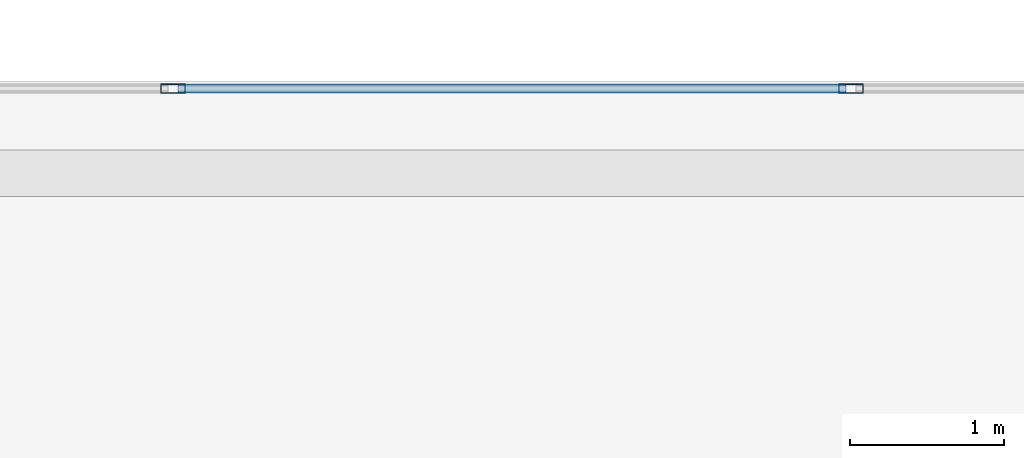
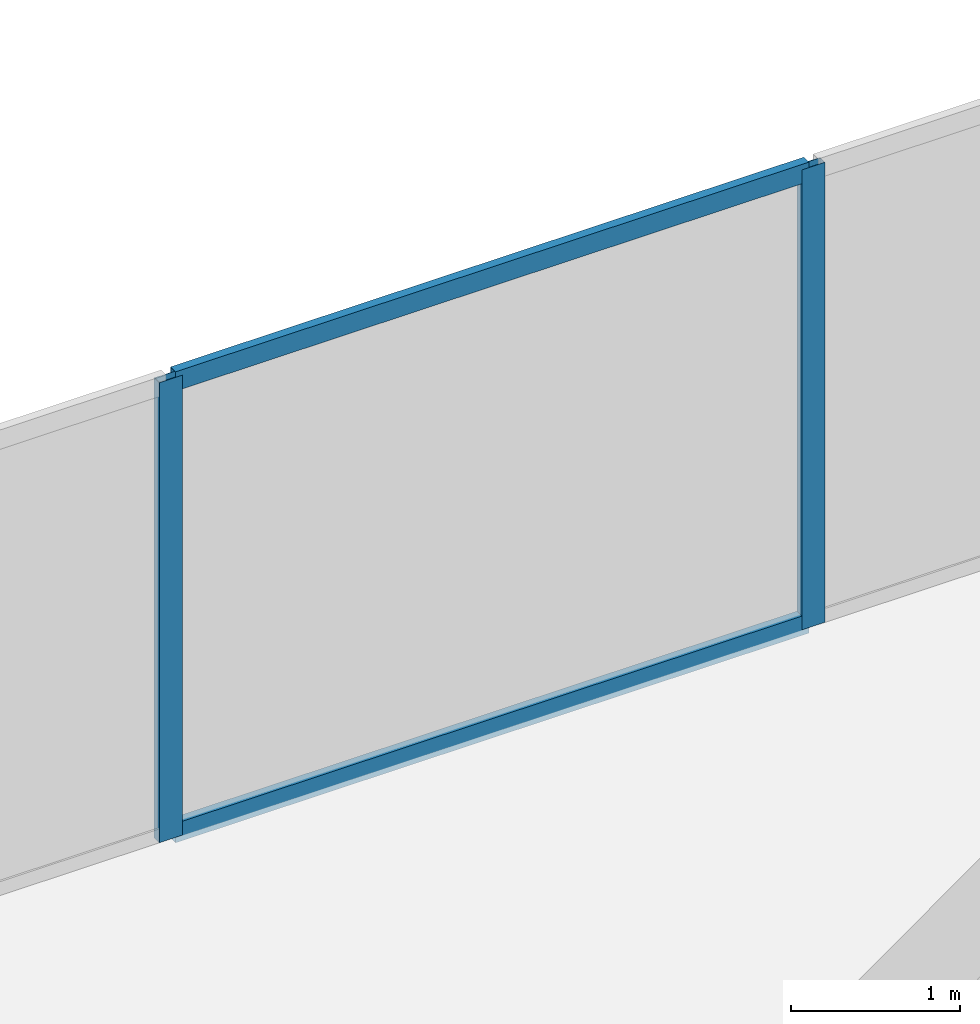
# One storey, part 22 of 32: 4 members, 1 element without a shape of its own.
"""IFC4 building model written with IfcOpenShell, lengths in metres."""

from ifc_helpers import new_model, si_unit, direction, frame, origin, origin_2d, place, context, subcontext, project, spatial, hollow_rectangle, extrude, material, layer, layer_set, material_profile, profile_set, type_object, element, aggregate, save


model = new_model("IFC4")

# Units and contexts
model_context = context("Model", 3, precision=1e-05, world=origin(), true_north=direction((0.0, 1.0)))
body_context = subcontext(model_context, "Body", "Model", "MODEL_VIEW")
ifc_project = project(units=[si_unit("LENGTHUNIT", "METRE"), si_unit("AREAUNIT", "SQUARE_METRE"), si_unit("VOLUMEUNIT", "CUBIC_METRE"), si_unit("PLANEANGLEUNIT", "RADIAN"), si_unit("MASSUNIT", "GRAM", prefix="KILO")], contexts=[model_context])

# Site, building, storey
site_placement = place(None, origin())
site = spatial("IfcSite", under=ifc_project, at=site_placement, CompositionType="ELEMENT")
building_placement = place(site_placement, origin())
building = spatial("IfcBuilding", under=site, at=building_placement, Name="Catumbela Crestline Tower", CompositionType="ELEMENT")
storey_placement = place(building_placement, frame((0.0, 0.0, 126.0)))
storey = spatial("IfcBuildingStorey", under=building, at=storey_placement, Name="L32", CompositionType="ELEMENT", Elevation=126.0)

# Curtain wall, members
ifc_material = material(Name="Aluminium alloy AW-6060-T66", Category="aluminium")
ifc_layer = layer(ifc_material, 0.18, Name="Aluminium alloy AW-6060-T66")
ifc_layer_set = layer_set([ifc_layer], Name="Aluminium alloy AW-6060-T66")
curtain_wall_type = type_object("IfcCurtainWallType", Name="CWU-Z2", PredefinedType="USERDEFINED", material=ifc_layer_set)
curtain_wall_placement = place(storey_placement, origin())
curtain_wall = element("IfcCurtainWall", 1, at=curtain_wall_placement, inside=storey, type_object=curtain_wall_type, Name="L32 Unitised Curtain Wall CW-L32-E7S1", ObjectType="UNITISED", PredefinedType="USERDEFINED")
ifc_material_profile_1 = material_profile(ifc_material, hollow_rectangle(XDim=0.06, YDim=0.16, WallThickness=0.004, at=origin_2d()), Name="ALU 160x60x4")
ifc_profile_set_1 = profile_set([ifc_material_profile_1], Name="Aluminium alloy AW-6060-T66")
member_type_1 = type_object("IfcMemberType", Name="MUL-160X60", PredefinedType="MULLION", material=ifc_profile_set_1)
member_1_placement = place(storey_placement, frame((29.9, 47.95, 0.0), z_axis=(0.0, 0.0, 1.0), x_axis=(0.0, -1.0, 0.0)))
member_1 = element("IfcMember", 2, at=member_1_placement, type_object=member_type_1, Name="CWU-Z2 mullion 5", PredefinedType="MULLION", context=body_context, shape_type="SweptSolid", body=[
    extrude(hollow_rectangle(XDim=0.06, YDim=0.16, WallThickness=0.004, at=origin_2d()), origin(), (0.0, 0.0, 1.0), 3.33),
])
member_2_placement = place(storey_placement, frame((25.5, 47.95, 0.0), z_axis=(0.0, 0.0, 1.0), x_axis=(0.0, -1.0, 0.0)))
member_2 = element("IfcMember", 3, at=member_2_placement, type_object=member_type_1, Name="CWU-Z2 mullion 6", PredefinedType="MULLION", context=body_context, shape_type="SweptSolid", body=[
    extrude(hollow_rectangle(XDim=0.06, YDim=0.16, WallThickness=0.004, at=origin_2d()), origin(), (0.0, 0.0, 1.0), 3.33),
])
ifc_material_profile_2 = material_profile(ifc_material, hollow_rectangle(XDim=0.06, YDim=0.14, WallThickness=0.004, at=origin_2d()), Name="ALU 140x60x4")
ifc_profile_set_2 = profile_set([ifc_material_profile_2], Name="Aluminium alloy AW-6060-T66")
member_type_2 = type_object("IfcMemberType", Name="TRN-140X60", PredefinedType="USERDEFINED", material=ifc_profile_set_2)
member_3_placement = place(storey_placement, frame((29.8675, 47.95, 0.03), z_axis=(-1.0, 0.0, 0.0), x_axis=(0.0, -1.0, 0.0)))
member_3 = element("IfcMember", 4, at=member_3_placement, type_object=member_type_2, Name="CWU-Z2 transom 5.1", ObjectType="TRANSOM", PredefinedType="USERDEFINED", context=body_context, shape_type="SweptSolid", body=[
    extrude(hollow_rectangle(XDim=0.06, YDim=0.14, WallThickness=0.004, at=origin_2d()), origin(), (0.0, 0.0, 1.0), 4.335),
])
member_4_placement = place(storey_placement, frame((29.8675, 47.95, 3.3), z_axis=(-1.0, 0.0, 0.0), x_axis=(0.0, -1.0, 0.0)))
member_4 = element("IfcMember", 5, at=member_4_placement, type_object=member_type_2, Name="CWU-Z2 transom 5.2", ObjectType="TRANSOM", PredefinedType="USERDEFINED", context=body_context, shape_type="SweptSolid", body=[
    extrude(hollow_rectangle(XDim=0.06, YDim=0.14, WallThickness=0.004, at=origin_2d()), origin(), (0.0, 0.0, 1.0), 4.335),
])
aggregate(curtain_wall, [member_1, member_2, member_3, member_4])

save(model, "model.ifc")
